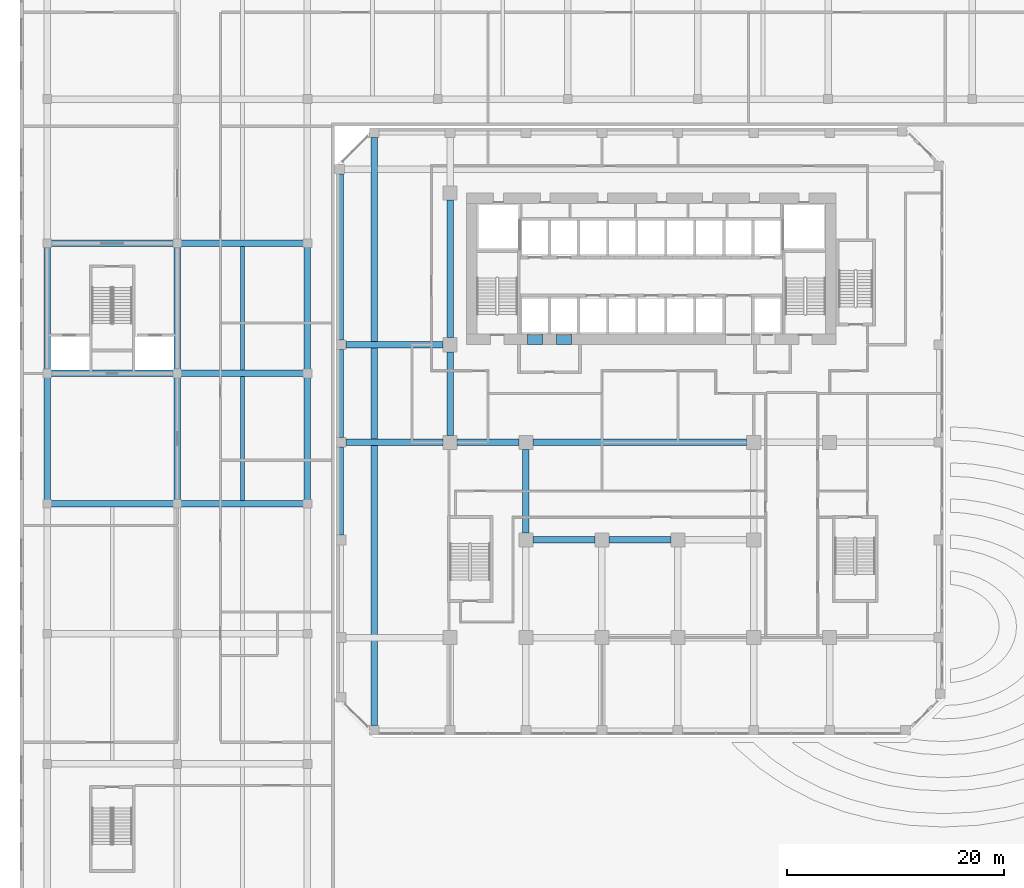
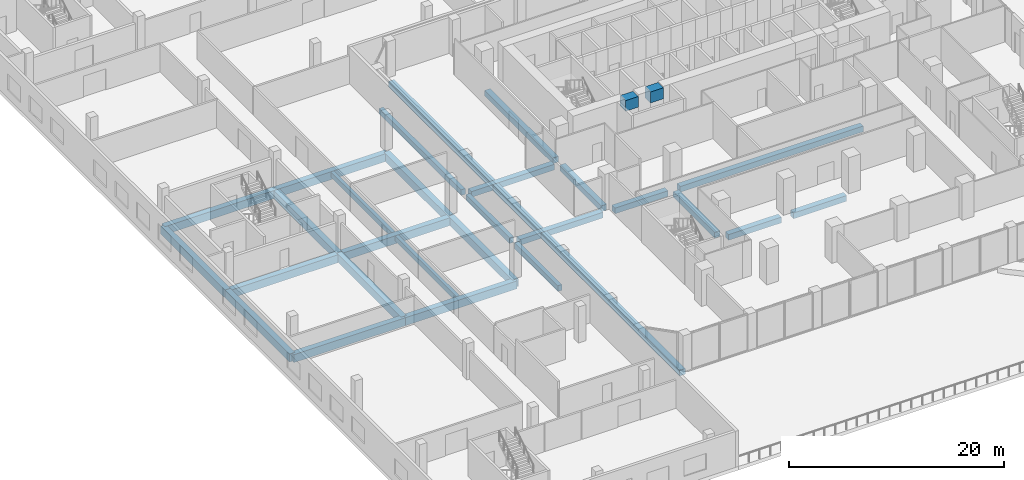
# One storey, part 4 of 38: 29 beams.
"""IFC4 building model written with IfcOpenShell, lengths in metres."""

import ifcopenshell
import ifcopenshell.guid

model = None  # the IFC model being written
_history = None  # IfcOwnerHistory: only IFC2X3 demands one
_inside = {}  # id of a spatial element -> (the spatial element, [elements in it])
_under = {}  # id of a project, library or spatial element -> (it, [spatial elements below it])
_declared = {}  # id of a project -> (the project, [libraries it declares])
_typed = {}  # id of a type object -> (the type object, [elements of that type])
_made_of = {}  # id of a material, layer set ... -> (it, [elements and type objects made of it])


def new_model(schema):
    """Start an empty IFC model of exactly this schema.

    Asked for "IFC4X3", IfcOpenShell would pick the latest addendum, in which some entities
    have other attributes; the version numbers below select the first issue.
    IFC2X3 requires an IfcOwnerHistory on every rooted entity: one is made here for all.
    """
    global model, _history
    if schema == "IFC4X3":
        model = ifcopenshell.file(schema_version=(4, 3, 0, 0))
    else:
        model = ifcopenshell.file(schema=schema)
    _inside.clear()
    _under.clear()
    _declared.clear()
    _typed.clear()
    _made_of.clear()
    _history = None
    if model.schema == "IFC2X3":
        org = make("IfcOrganization", Name="unknown")
        user = make(
            "IfcPersonAndOrganization",
            ThePerson=make("IfcPerson", FamilyName="unknown"),
            TheOrganization=org,
        )
        app = make(
            "IfcApplication",
            ApplicationDeveloper=org,
            Version="unknown",
            ApplicationFullName="unknown",
            ApplicationIdentifier="unknown",
        )
        _history = make(
            "IfcOwnerHistory",
            OwningUser=user,
            OwningApplication=app,
            ChangeAction="ADDED",
            CreationDate=0,
        )
    return model


def make(cls, **values):
    """One entity of the class cls with the attributes given. An attribute that is None is left unset."""
    return model.create_entity(
        cls, **{name: value for name, value in values.items() if value is not None}
    )


def rooted(cls, **values):
    """An entity with a GlobalId (a new one), such as an element, a storey or a relation."""
    return make(cls, GlobalId=ifcopenshell.guid.new(), OwnerHistory=_history, **values)


def si_unit(unit_type, name, prefix=None):
    """IfcSIUnit, for example si_unit("LENGTHUNIT", "METRE", prefix="MILLI")."""
    return make("IfcSIUnit", UnitType=unit_type, Prefix=prefix, Name=name)


def assignment(units):
    """IfcUnitAssignment: the units of a project."""
    return None if units is None else make("IfcUnitAssignment", Units=units)


def point(xyz):
    """IfcCartesianPoint."""
    return None if xyz is None else make("IfcCartesianPoint", Coordinates=xyz)


def direction(xyz):
    """IfcDirection."""
    return None if xyz is None else make("IfcDirection", DirectionRatios=xyz)


def frame(location, z_axis=None, x_axis=None):
    """IfcAxis2Placement3D, a coordinate frame: its origin and axes. An axis left out is left unset."""
    return make(
        "IfcAxis2Placement3D",
        Location=point(location),
        Axis=direction(z_axis),
        RefDirection=direction(x_axis),
    )


def frame_2d(location, x_axis=None):
    """IfcAxis2Placement2D, a coordinate frame in the plane: its origin and x axis."""
    return make(
        "IfcAxis2Placement2D", Location=point(location), RefDirection=direction(x_axis)
    )


def origin():
    """The frame at (0, 0, 0) with its axes left unset."""
    return frame((0.0, 0.0, 0.0))


def origin_2d():
    """The frame at (0, 0) in the plane with its x axis left unset."""
    return frame_2d((0.0, 0.0))


def place(relative_to, where):
    """IfcLocalPlacement: puts the frame where relative to a parent placement (None: the world)."""
    return make(
        "IfcLocalPlacement", PlacementRelTo=relative_to, RelativePlacement=where
    )


def context(
    kind, dimensions, precision=None, world=None, true_north=None, identifier=None
):
    """IfcGeometricRepresentationContext, for example the 3D "Model" context."""
    return make(
        "IfcGeometricRepresentationContext",
        ContextIdentifier=identifier,
        ContextType=kind,
        CoordinateSpaceDimension=dimensions,
        Precision=precision,
        WorldCoordinateSystem=world,
        TrueNorth=true_north,
    )


def subcontext(parent, identifier, kind, view, scale=None):
    """IfcGeometricRepresentationSubContext, for example "Body" below "Model"."""
    return make(
        "IfcGeometricRepresentationSubContext",
        ContextIdentifier=identifier,
        ContextType=kind,
        ParentContext=parent,
        TargetScale=scale,
        TargetView=view,
    )


def project(units=None, contexts=None):
    """IfcProject with its units and contexts."""
    return rooted(
        "IfcProject",
        Name="project",
        RepresentationContexts=contexts,
        UnitsInContext=assignment(units),
    )


def spatial(cls, under=None, at=None, **own):
    """A site, building, storey or space (cls), placed at a placement, below another one or the project."""
    s = rooted(cls, ObjectPlacement=at, **own)
    if under is not None:
        _under.setdefault(under.id(), (under, []))[1].append(s)
    return s


def profile(cls, at=None, kind="AREA", **sizes):
    """A parametric profile (cls). Its sizes go by their IFC names, for example OverallWidth=200.0."""
    return make(cls, ProfileType=kind, Position=at, **sizes)


def rectangle(**sizes):
    """IfcRectangleProfileDef."""
    return profile("IfcRectangleProfileDef", **sizes)


def extrude(swept, where, along, depth):
    """IfcExtrudedAreaSolid: the profile swept, set in the frame where, extruded along a direction by depth."""
    return make(
        "IfcExtrudedAreaSolid",
        SweptArea=swept,
        Position=where,
        ExtrudedDirection=direction(along),
        Depth=depth,
    )


def shape(context_of_items, identifier, shape_type, items):
    """IfcShapeRepresentation: the items that make up one representation, for example the "Body"."""
    return make(
        "IfcShapeRepresentation",
        ContextOfItems=context_of_items,
        RepresentationIdentifier=identifier,
        RepresentationType=shape_type,
        Items=items,
    )


def source(mapping_origin, context_of_items, identifier, shape_type, items):
    """IfcRepresentationMap: a shape defined once, which mapped items show again and again."""
    return make(
        "IfcRepresentationMap",
        MappingOrigin=mapping_origin,
        MappedRepresentation=shape(context_of_items, identifier, shape_type, items),
    )


def transform(
    local_origin,
    x_axis=None,
    y_axis=None,
    z_axis=None,
    scale=None,
    scale2=None,
    scale3=None,
    uniform=True,
):
    """IfcCartesianTransformationOperator3D, or its non-uniform kind. x_axis, y_axis, z_axis: its Axis1, 2, 3."""
    if uniform:
        return make(
            "IfcCartesianTransformationOperator3D",
            Axis1=direction(x_axis),
            Axis2=direction(y_axis),
            LocalOrigin=point(local_origin),
            Scale=scale,
            Axis3=direction(z_axis),
        )
    return make(
        "IfcCartesianTransformationOperator3DnonUniform",
        Axis1=direction(x_axis),
        Axis2=direction(y_axis),
        LocalOrigin=point(local_origin),
        Scale=scale,
        Axis3=direction(z_axis),
        Scale2=scale2,
        Scale3=scale3,
    )


def mapped(mapping_source, mapping_target):
    """IfcMappedItem: shows the shape of a source again, moved by a transform."""
    return make(
        "IfcMappedItem", MappingSource=mapping_source, MappingTarget=mapping_target
    )


def material(Name=None, Category=None):
    """IfcMaterial."""
    return make("IfcMaterial", Name=Name, Category=Category)


def material_profile(
    of_material, cross_section, Name=None, Category=None, Priority=None
):
    """IfcMaterialProfile: a cross section and its material."""
    return make(
        "IfcMaterialProfile",
        Name=Name,
        Material=of_material,
        Profile=cross_section,
        Priority=Priority,
        Category=Category,
    )


def profile_set(profiles, Name=None, composite=None):
    """IfcMaterialProfileSet."""
    return make(
        "IfcMaterialProfileSet",
        Name=Name,
        MaterialProfiles=profiles,
        CompositeProfile=composite,
    )


def made_of(thing, what):
    """Note that an element or type object is made of a material, layer set ...; save() writes the relation."""
    if what is not None:
        _made_of.setdefault(what.id(), (what, []))[1].append(thing)
    return thing


def type_object(cls, material=None, **own):
    """A type object (cls), such as IfcWallType, which elements share."""
    return made_of(rooted(cls, **own), material)


def element(
    cls,
    number,
    at=None,
    inside=None,
    cuts=None,
    type_object=None,
    material=None,
    context=None,
    identifier="Body",
    shape_type=None,
    held_by="IfcProductDefinitionShape",
    body=None,
    shapes=None,
    **own,
):
    """One element of the class cls, such as IfcWall. Its Tag is "e" and its number.

    at: its placement. inside: the storey or other place that contains it. cuts: it is an
    opening in that element (IfcRelVoidsElement). A single representation is given by context,
    identifier, shape_type and body (its items); several are given by shapes. held_by: the class
    of the entity that holds the representations. save() writes the other relations.
    """
    e = rooted(cls, Tag="e%d" % number, ObjectPlacement=at, **own)
    if body is not None:
        shapes = [shape(context, identifier, shape_type, body)]
    if shapes is not None:
        e.Representation = make(held_by, Representations=shapes)
    if inside is not None:
        _inside.setdefault(inside.id(), (inside, []))[1].append(e)
    if cuts is not None:
        rooted(
            "IfcRelVoidsElement", RelatingBuildingElement=cuts, RelatedOpeningElement=e
        )
    if type_object is not None:
        _typed.setdefault(type_object.id(), (type_object, []))[1].append(e)
    return made_of(e, material)


def aggregate(whole, parts):
    """IfcRelAggregates: a whole, such as a stair, and the parts it consists of."""
    return rooted("IfcRelAggregates", RelatingObject=whole, RelatedObjects=parts)


def save(model, path):
    """Write the relations noted so far, then the file.

    IfcRelAggregates (storeys below a building ...), IfcRelContainedInSpatialStructure (elements
    in a storey), IfcRelDefinesByType, IfcRelAssociatesMaterial and IfcRelDeclares: one each for
    every whole, place, type object, material and project.
    """
    for whole, parts in _under.values():
        aggregate(whole, parts)
    for where, things in _inside.values():
        rooted(
            "IfcRelContainedInSpatialStructure",
            RelatedElements=things,
            RelatingStructure=where,
        )
    for kind, things in _typed.values():
        rooted("IfcRelDefinesByType", RelatedObjects=things, RelatingType=kind)
    for what, things in _made_of.values():
        rooted("IfcRelAssociatesMaterial", RelatedObjects=things, RelatingMaterial=what)
    for by, libraries in _declared.values():
        rooted("IfcRelDeclares", RelatingContext=by, RelatedDefinitions=libraries)
    model.write(path)


model = new_model("IFC4")

# Units and contexts
model_context = context("Model", 3, precision=1e-05, world=origin(), true_north=direction((0.0, 1.0)))
body_context = subcontext(model_context, "Body", "Model", "MODEL_VIEW")
ifc_project = project(units=[si_unit("LENGTHUNIT", "METRE"), si_unit("AREAUNIT", "SQUARE_METRE"), si_unit("VOLUMEUNIT", "CUBIC_METRE"), si_unit("PLANEANGLEUNIT", "RADIAN"), si_unit("MASSUNIT", "GRAM", prefix="KILO")], contexts=[model_context])

# Site, building, storey
site_placement = place(None, origin())
site = spatial("IfcSite", under=ifc_project, at=site_placement, CompositionType="ELEMENT")
building_placement = place(site_placement, origin())
building = spatial("IfcBuilding", under=site, at=building_placement, Name="Kilnfold Tower and Market Hall", CompositionType="ELEMENT")
storey_placement = place(building_placement, frame((0.0, 0.0, 9.0)))
storey = spatial("IfcBuildingStorey", under=building, at=storey_placement, Name="L01", CompositionType="ELEMENT", Elevation=9.0)

# Beams
ifc_material_1 = material(Name="Concrete C40/50", Category="concrete")
ifc_material_profile_1 = material_profile(ifc_material_1, rectangle(XDim=0.60009765625, YDim=0.89990234375, at=origin_2d()), Name="RC 600x900")
ifc_profile_set_1 = profile_set([ifc_material_profile_1], Name="Concrete C40/50")
beam_type_1 = type_object("IfcBeamType", Name="HALL GIRDER 600X900", PredefinedType="BEAM", material=ifc_profile_set_1)
for number, where, z_axis, x_axis, name in (
    (1, (-54.64990234375, -6.64990234375, -0.85009765625), (0.0, 1.0, 0.0), (-1.0, 0.0, 0.0), "Beam MG1.7"),
    (2, (-54.64990234375, -6.64990234375, -0.85009765625), (1.0, 0.0, 0.0), (0.0, 1.0, 0.0), "Beam MG1.8"),
    (3, (-54.64990234375, 5.35009765625, -0.85009765625), (0.0, 1.0, 0.0), (-1.0, 0.0, 0.0), "Beam MG1.9"),
    (4, (-54.64990234375, 5.35009765625, -0.85009765625), (1.0, 0.0, 0.0), (0.0, 1.0, 0.0), "Beam MG1.10"),
    (5, (-54.64990234375, 17.35009765625, -0.85009765625), (1.0, 0.0, 0.0), (0.0, 1.0, 0.0), "Beam MG1.12"),
    (6, (-42.64990234375, -6.64990234375, -0.85009765625), (0.0, 1.0, 0.0), (-1.0, 0.0, 0.0), "Beam MG1.24"),
    (7, (-42.64990234375, -6.64990234375, -0.85009765625), (1.0, 0.0, 0.0), (0.0, 1.0, 0.0), "Beam MG1.25"),
    (8, (-42.64990234375, 5.35009765625, -0.85009765625), (0.0, 1.0, 0.0), (-1.0, 0.0, 0.0), "Beam MG1.26"),
    (9, (-42.64990234375, 5.35009765625, -0.85009765625), (1.0, 0.0, 0.0), (0.0, 1.0, 0.0), "Beam MG1.27"),
    (10, (-42.64990234375, 17.35009765625, -0.85009765625), (1.0, 0.0, 0.0), (0.0, 1.0, 0.0), "Beam MG1.29"),
    (11, (-30.64990234375, -6.64990234375, -0.85009765625), (0.0, 1.0, 0.0), (-1.0, 0.0, 0.0), "Beam MG1.38"),
    (12, (-30.64990234375, 5.35009765625, -0.85009765625), (0.0, 1.0, 0.0), (-1.0, 0.0, 0.0), "Beam MG1.39"),
):
    element("IfcBeam", number, at=place(storey_placement, frame(where, z_axis=z_axis, x_axis=x_axis)), inside=storey, type_object=beam_type_1, Name=name, PredefinedType="BEAM", context=body_context, shape_type="SweptSolid", body=[
        extrude(rectangle(XDim=0.60009765625, YDim=0.89990234375, at=origin_2d()), origin(), (0.0, 0.0, 1.0), 12.0),
    ])
ifc_material_2 = material(Name="Concrete C40/50", Category="concrete")
ifc_material_profile_2 = material_profile(ifc_material_2, rectangle(XDim=0.35009765625, YDim=0.60009765625, at=origin_2d()), Name="RC 350x600")
ifc_profile_set_2 = profile_set([ifc_material_profile_2], Name="Concrete C40/50")
beam_type_2 = type_object("IfcBeamType", Name="HALL JOIST 350X600", PredefinedType="BEAM", material=ifc_profile_set_2)
for number, where, z_axis, x_axis, name in (
    (13, (-36.64990234375, -6.35009765625, -0.699951171875), (0.0, 1.0, 0.0), (-1.0, 0.0, 0.0), "Beam MJ1.6"),
    (14, (-36.64990234375, 5.64990234375, -0.699951171875), (0.0, 1.0, 0.0), (-1.0, 0.0, 0.0), "Beam MJ1.7"),
):
    element("IfcBeam", number, at=place(storey_placement, frame(where, z_axis=z_axis, x_axis=x_axis)), inside=storey, type_object=beam_type_2, Name=name, PredefinedType="BEAM", context=body_context, shape_type="SweptSolid", body=[
        extrude(rectangle(XDim=0.35009765625, YDim=0.60009765625, at=origin_2d()), origin(), (0.0, 0.0, 1.0), 11.400146484375),
    ])
ifc_material_3 = material(Name="Concrete C80", Category="concrete")
ifc_material_profile_3 = material_profile(ifc_material_3, rectangle(XDim=1.0, YDim=1.199951171875, at=origin_2d()), Name="RC 1000x1200")
ifc_profile_set_3 = profile_set([ifc_material_profile_3], Name="Concrete C80")
beam_type_3 = type_object("IfcBeamType", Name="COUPLING BEAM 1000X1200 C80", PredefinedType="BEAM", material=ifc_profile_set_3)
shared_shape_1 = source(origin(), body_context, "Body", "SweptSolid", [
    extrude(rectangle(XDim=1.0, YDim=1.199951171875, at=origin_2d()), origin(), (0.0, 0.0, 1.0), 1.400146484375),
])
beam_1_placement = place(storey_placement, frame((-10.3701171875, 8.5, 3.300048828125), z_axis=(1.0, 0.0, 0.0), x_axis=(0.0, 1.0, 0.0)))
element("IfcBeam", 15, at=beam_1_placement, inside=storey, type_object=beam_type_3, Name="Coupling beam CB1200-80-CORE.42", PredefinedType="BEAM", context=body_context, shape_type="MappedRepresentation", body=[
    mapped(shared_shape_1, transform((0.0, 0.0, 0.0))),
])
ifc_material_4 = material(Name="Concrete C80", Category="concrete")
ifc_material_profile_4 = material_profile(ifc_material_4, rectangle(XDim=1.0, YDim=1.25, at=origin_2d()), Name="RC 1000x1250")
ifc_profile_set_4 = profile_set([ifc_material_profile_4], Name="Concrete C80")
beam_type_4 = type_object("IfcBeamType", Name="COUPLING BEAM 1000X1250 C80", PredefinedType="BEAM", material=ifc_profile_set_4)
shared_shape_2 = source(origin(), body_context, "Body", "SweptSolid", [
    extrude(rectangle(XDim=1.0, YDim=1.25, at=origin_2d()), origin(), (0.0, 0.0, 1.0), 1.39990234375),
])
beam_2_placement = place(storey_placement, frame((-7.68994140625, 8.5, 3.324951171875), z_axis=(1.0, 0.0, 0.0), x_axis=(0.0, 1.0, 0.0)))
element("IfcBeam", 16, at=beam_2_placement, inside=storey, type_object=beam_type_4, Name="Coupling beam CB1250-80-CORE.43", PredefinedType="BEAM", context=body_context, shape_type="MappedRepresentation", body=[
    mapped(shared_shape_2, transform((0.0, 0.0, 0.0))),
])
ifc_material_5 = material(Name="Concrete C45", Category="concrete")
ifc_material_profile_5 = material_profile(ifc_material_5, rectangle(XDim=0.60009765625, YDim=0.64990234375, at=origin_2d()), Name="RC 600x650")
ifc_profile_set_5 = profile_set([ifc_material_profile_5], Name="Concrete C45")
beam_type_5 = type_object("IfcBeamType", Name="BEAM 600X650 C45", PredefinedType="BEAM", material=ifc_profile_set_5)
shared_shape_3 = source(origin(), body_context, "Body", "SweptSolid", [
    extrude(rectangle(XDim=0.60009765625, YDim=0.64990234375, at=origin_2d()), origin(), (0.0, 0.0, 1.0), 8.9501953125),
])
for number, where, z_axis, x_axis, name in (
    (17, (-27.10009765625, -1.0, -0.72509765625), (1.0, 0.0, 0.0), (0.0, 1.0, 0.0), "Beam BB650-B1.16"),
    (18, (-27.10009765625, 8.0, -0.72509765625), (1.0, 0.0, 0.0), (0.0, 1.0, 0.0), "Beam BB650-B1.21"),
):
    element("IfcBeam", number, at=place(storey_placement, frame(where, z_axis=z_axis, x_axis=x_axis)), inside=storey, type_object=beam_type_5, Name=name, PredefinedType="BEAM", context=body_context, shape_type="MappedRepresentation", body=[
        mapped(shared_shape_3, transform((0.0, 0.0, 0.0))),
    ])
shared_shape_4 = source(origin(), body_context, "Body", "SweptSolid", [
    extrude(rectangle(XDim=0.60009765625, YDim=0.64990234375, at=origin_2d()), origin(), (0.0, 0.0, 1.0), 5.7001953125),
])
for number, where, z_axis, x_axis, name in (
    (19, (-9.85009765625, -10.0, -0.72509765625), (1.0, 0.0, 0.0), (0.0, 1.0, 0.0), "Beam BB650-B1.13"),
    (20, (-2.85009765625, -10.0, -0.72509765625), (1.0, 0.0, 0.0), (0.0, 1.0, 0.0), "Beam BB650-B1.14"),
    (21, (-16.85009765625, -1.0, -0.72509765625), (1.0, 0.0, 0.0), (0.0, 1.0, 0.0), "Beam BB650-B1.17"),
):
    element("IfcBeam", number, at=place(storey_placement, frame(where, z_axis=z_axis, x_axis=x_axis)), inside=storey, type_object=beam_type_5, Name=name, PredefinedType="BEAM", context=body_context, shape_type="MappedRepresentation", body=[
        mapped(shared_shape_4, transform((0.0, 0.0, 0.0))),
    ])
shared_shape_5 = source(origin(), body_context, "Body", "SweptSolid", [
    extrude(rectangle(XDim=0.60009765625, YDim=0.64990234375, at=origin_2d()), origin(), (0.0, 0.0, 1.0), 19.7001953125),
])
beam_3_placement = place(storey_placement, frame((-9.85009765625, -1.0, -0.72509765625), z_axis=(1.0, 0.0, 0.0), x_axis=(0.0, 1.0, 0.0)))
element("IfcBeam", 22, at=beam_3_placement, inside=storey, type_object=beam_type_5, Name="Beam BB650-B1.18", PredefinedType="BEAM", context=body_context, shape_type="MappedRepresentation", body=[
    mapped(shared_shape_5, transform((0.0, 0.0, 0.0))),
])
ifc_material_6 = material(Name="Concrete C45", Category="concrete")
ifc_material_profile_6 = material_profile(ifc_material_6, rectangle(XDim=0.449951171875, YDim=0.64990234375, at=origin_2d()), Name="RC 450x650")
ifc_profile_set_6 = profile_set([ifc_material_profile_6], Name="Concrete C45")
beam_type_6 = type_object("IfcBeamType", Name="EDGE BEAM 450X650 C45", PredefinedType="BEAM", material=ifc_profile_set_6)
shared_shape_6 = source(origin(), body_context, "Body", "SweptSolid", [
    extrude(rectangle(XDim=0.449951171875, YDim=0.64990234375, at=origin_2d()), origin(), (0.0, 0.0, 1.0), 8.10009765625),
])
for number, where, z_axis, x_axis, name in (
    (23, (-27.550048828125, -9.550048828125, -0.72509765625), (0.0, 1.0, 0.0), (-1.0, 0.0, 0.0), "Beam EB650-B1.32"),
    (24, (-27.550048828125, -0.550048828125, -0.72509765625), (0.0, 1.0, 0.0), (-1.0, 0.0, 0.0), "Beam EB650-B1.33"),
):
    element("IfcBeam", number, at=place(storey_placement, frame(where, z_axis=z_axis, x_axis=x_axis)), inside=storey, type_object=beam_type_6, Name=name, PredefinedType="BEAM", context=body_context, shape_type="MappedRepresentation", body=[
        mapped(shared_shape_6, transform((0.0, 0.0, 0.0))),
    ])
shared_shape_7 = source(origin(), body_context, "Body", "SweptSolid", [
    extrude(rectangle(XDim=0.449951171875, YDim=0.64990234375, at=origin_2d()), origin(), (0.0, 0.0, 1.0), 15.28173828125),
])
beam_4_placement = place(storey_placement, frame((-27.550048828125, 8.449951171875, -0.72509765625), z_axis=(0.0, 1.0, 0.0), x_axis=(-1.0, 0.0, 0.0)))
element("IfcBeam", 25, at=beam_4_placement, inside=storey, type_object=beam_type_6, Name="Beam EB650-B1.34", PredefinedType="BEAM", context=body_context, shape_type="MappedRepresentation", body=[
    mapped(shared_shape_7, transform((0.0, 0.0, 0.0))),
])
shared_shape_8 = source(origin(), body_context, "Body", "SweptSolid", [
    extrude(rectangle(XDim=0.60009765625, YDim=0.64990234375, at=origin_2d()), origin(), (0.0, 0.0, 1.0), 54.2001953125),
])
beam_5_placement = place(storey_placement, frame((-24.5, -27.10009765625, -0.72509765625), z_axis=(0.0, 1.0, 0.0), x_axis=(-1.0, 0.0, 0.0)))
element("IfcBeam", 26, at=beam_5_placement, inside=storey, type_object=beam_type_5, Name="Beam BB650-B1.35", PredefinedType="BEAM", context=body_context, shape_type="MappedRepresentation", body=[
    mapped(shared_shape_8, transform((0.0, 0.0, 0.0))),
])
shared_shape_9 = source(origin(), body_context, "Body", "SweptSolid", [
    extrude(rectangle(XDim=0.60009765625, YDim=0.64990234375, at=origin_2d()), origin(), (0.0, 0.0, 1.0), 7.7001953125),
])
for number, where, z_axis, x_axis, name in (
    (27, (-17.5, -0.35009765625, -0.72509765625), (0.0, 1.0, 0.0), (-1.0, 0.0, 0.0), "Beam BB650-B1.37"),
    (28, (-10.5, -9.35009765625, -0.72509765625), (0.0, 1.0, 0.0), (-1.0, 0.0, 0.0), "Beam BB650-B1.42"),
):
    element("IfcBeam", number, at=place(storey_placement, frame(where, z_axis=z_axis, x_axis=x_axis)), inside=storey, type_object=beam_type_5, Name=name, PredefinedType="BEAM", context=body_context, shape_type="MappedRepresentation", body=[
        mapped(shared_shape_9, transform((0.0, 0.0, 0.0))),
    ])
shared_shape_10 = source(origin(), body_context, "Body", "SweptSolid", [
    extrude(rectangle(XDim=0.60009765625, YDim=0.64990234375, at=origin_2d()), origin(), (0.0, 0.0, 1.0), 12.7001953125),
])
beam_6_placement = place(storey_placement, frame((-17.5, 8.64990234375, -0.72509765625), z_axis=(0.0, 1.0, 0.0), x_axis=(-1.0, 0.0, 0.0)))
element("IfcBeam", 29, at=beam_6_placement, inside=storey, type_object=beam_type_5, Name="Beam BB650-B1.38", PredefinedType="BEAM", context=body_context, shape_type="MappedRepresentation", body=[
    mapped(shared_shape_10, transform((0.0, 0.0, 0.0))),
])

save(model, "model.ifc")
